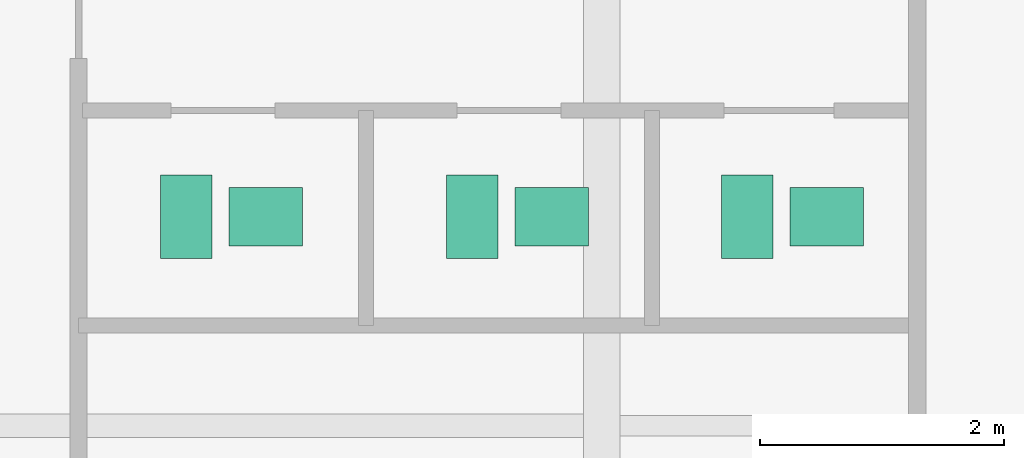
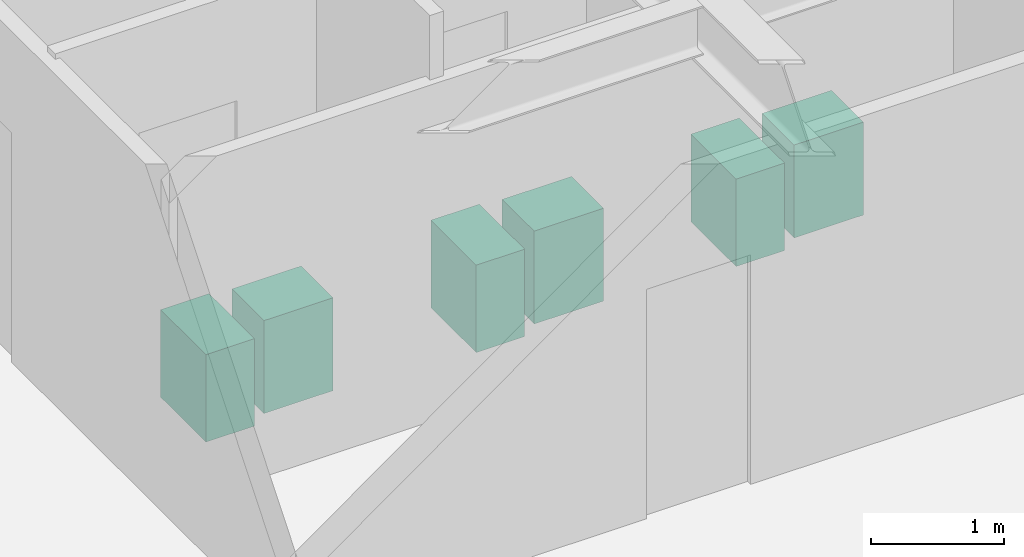
# One storey, part 25 of 25: 6 sanitary terminals.
"""IFC4 building model written with IfcOpenShell, lengths in metres."""

from ifc_helpers import new_model, si_unit, direction, frame, origin, origin_2d, place, context, subcontext, project, spatial, rectangle, extrude, source, transform, mapped, material, type_object, type_shapes, element, save


model = new_model("IFC4")

# Units and contexts
model_context = context("Model", 3, precision=1e-05, world=origin(), true_north=direction((0.0, 1.0)))
body_context = subcontext(model_context, "Body", "Model", "MODEL_VIEW")
ifc_project = project(units=[si_unit("LENGTHUNIT", "METRE"), si_unit("AREAUNIT", "SQUARE_METRE"), si_unit("VOLUMEUNIT", "CUBIC_METRE"), si_unit("PLANEANGLEUNIT", "RADIAN"), si_unit("MASSUNIT", "GRAM", prefix="KILO")], contexts=[model_context])

# Site, building, storey
site_placement = place(None, origin())
site = spatial("IfcSite", under=ifc_project, at=site_placement, CompositionType="ELEMENT")
building_placement = place(site_placement, origin())
building = spatial("IfcBuilding", under=site, at=building_placement, Name="Krantzveldt Concourse Tower", CompositionType="ELEMENT")
storey_placement = place(building_placement, frame((0.0, 0.0, 181.75)))
storey = spatial("IfcBuildingStorey", under=building, at=storey_placement, Name="L44", CompositionType="ELEMENT", Elevation=181.75)

# Sanitary terminals
ifc_material = material(Name="Vitreous china", Category="ceramic")
sanitary_terminal_type_1 = type_object("IfcSanitaryTerminalType", Name="SAN-WC-SUITE", PredefinedType="TOILETPAN", material=ifc_material)
shared_shape_1 = source(origin(), body_context, "Body", "SweptSolid", [
    extrude(rectangle(XDim=0.419921875, YDim=0.679931640625, at=origin_2d()), origin(), (0.0, 0.0, 1.0), 0.800048828125),
])
type_shapes(sanitary_terminal_type_1, [shared_shape_1])
for number, where, z_axis, x_axis, name in (
    (1, (38.0, 31.909912109375, 0.0), (0.0, 0.0, 1.0), (1.0, 0.0, 0.0), "WC-SP-L44-WCM"),
    (2, (40.340087890625, 31.909912109375, 0.0), (0.0, 0.0, 1.0), (1.0, 0.0, 0.0), "WC-SP-L44-WCF"),
    (3, (42.590087890625, 31.909912109375, 0.0), (0.0, 0.0, 1.0), (1.0, 0.0, 0.0), "WC-SP-L44-WCA"),
):
    element("IfcSanitaryTerminal", number, at=place(storey_placement, frame(where, z_axis=z_axis, x_axis=x_axis)), inside=storey, type_object=sanitary_terminal_type_1, Name=name, PredefinedType="TOILETPAN", context=body_context, shape_type="MappedRepresentation", body=[
        mapped(shared_shape_1, transform((0.0, 0.0, 0.0), x_axis=(1.0, 0.0, 0.0), y_axis=(0.0, 1.0, 0.0), z_axis=(0.0, 0.0, 1.0), scale=1.0)),
    ])
sanitary_terminal_type_2 = type_object("IfcSanitaryTerminalType", Name="SAN-BASIN-600", PredefinedType="WASHHANDBASIN", material=ifc_material)
shared_shape_2 = source(origin(), body_context, "Body", "SweptSolid", [
    extrude(rectangle(XDim=0.60009765625, YDim=0.47998046875, at=origin_2d()), origin(), (0.0, 0.0, 1.0), 0.85009765625),
])
type_shapes(sanitary_terminal_type_2, [shared_shape_2])
for number, where, z_axis, x_axis, name in (
    (4, (38.64990234375, 31.909912109375, 0.0048828125), (0.0, 0.0, 1.0), (1.0, 0.0, 0.0), "BSN-SP-L44-WCM"),
    (5, (40.989990234375, 31.909912109375, 0.0048828125), (0.0, 0.0, 1.0), (1.0, 0.0, 0.0), "BSN-SP-L44-WCF"),
    (6, (43.239990234375, 31.909912109375, 0.0048828125), (0.0, 0.0, 1.0), (1.0, 0.0, 0.0), "BSN-SP-L44-WCA"),
):
    element("IfcSanitaryTerminal", number, at=place(storey_placement, frame(where, z_axis=z_axis, x_axis=x_axis)), inside=storey, type_object=sanitary_terminal_type_2, Name=name, PredefinedType="WASHHANDBASIN", context=body_context, shape_type="MappedRepresentation", body=[
        mapped(shared_shape_2, transform((0.0, 0.0, 0.0), x_axis=(1.0, 0.0, 0.0), y_axis=(0.0, 1.0, 0.0), z_axis=(0.0, 0.0, 1.0), scale=1.0)),
    ])

save(model, "model.ifc")
